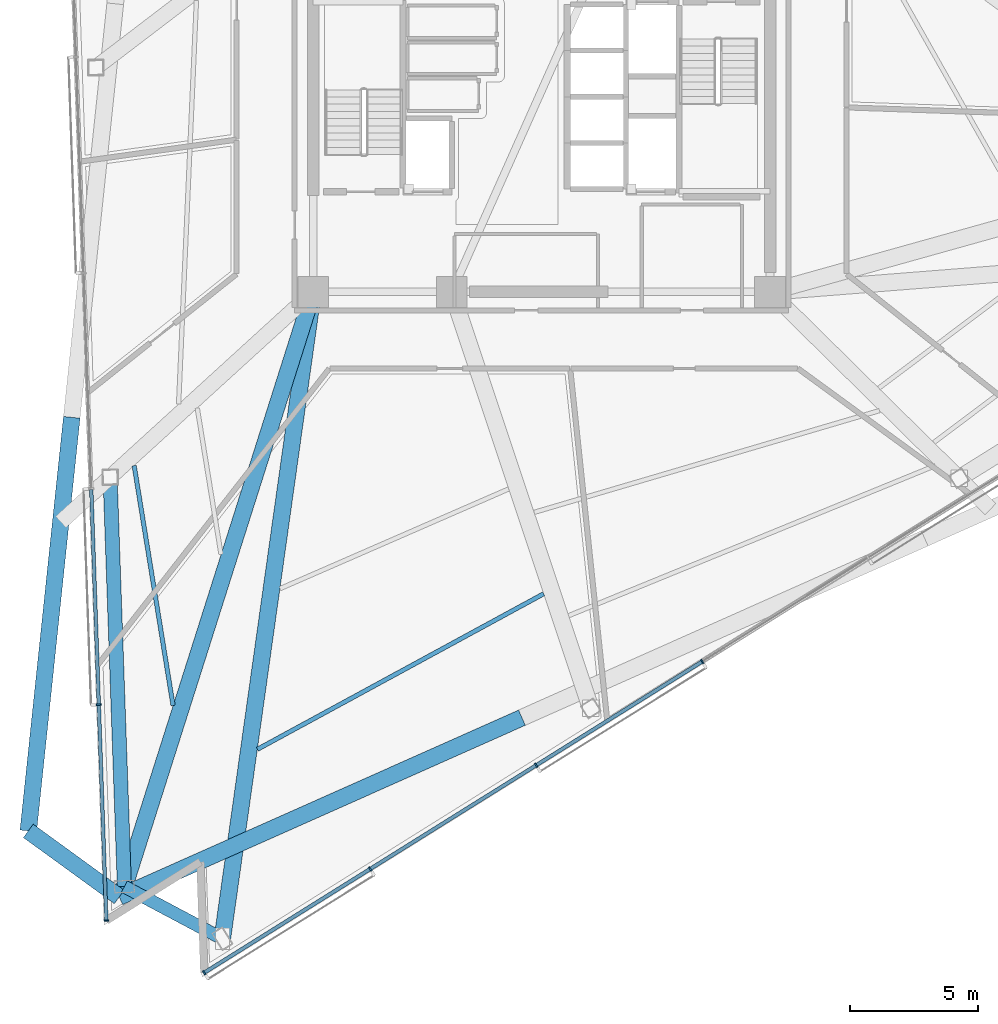
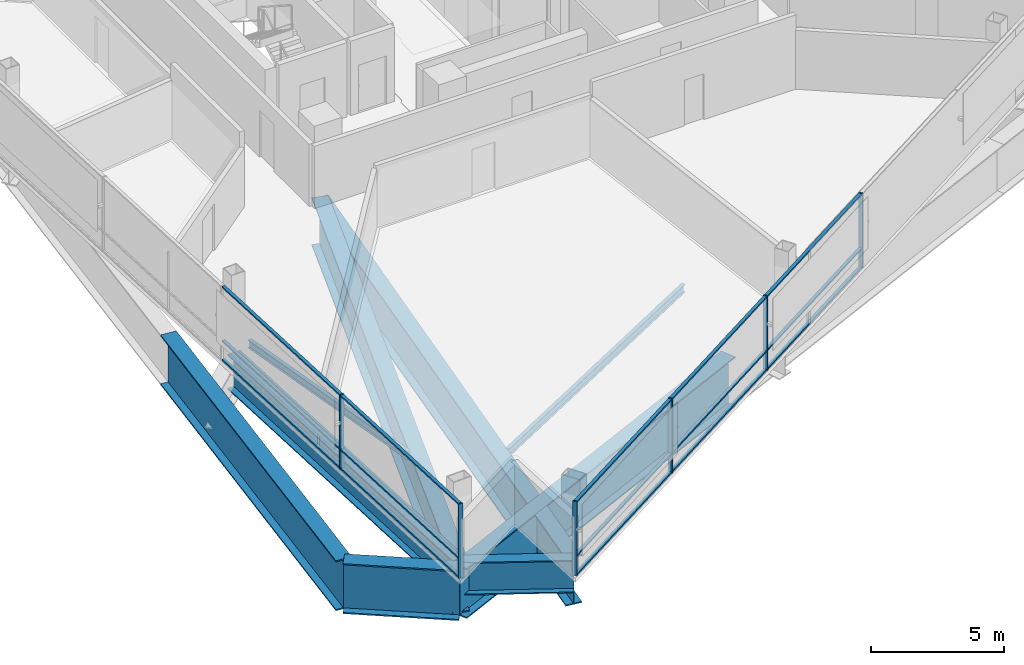
# One storey, part 2 of 20: 21 members, 9 beams, 2 elements without a shape of their own.
"""IFC4 building model written with IfcOpenShell, lengths in metres."""

from ifc_helpers import new_model, si_unit, direction, frame, origin, origin_2d, place, context, subcontext, project, spatial, rectangle, i_section, extrude, material, layer, layer_set, material_profile, profile_set, type_object, element, aggregate, save


model = new_model("IFC4")

# Units and contexts
model_context = context("Model", 3, precision=1e-05, world=origin(), true_north=direction((0.0, 1.0)))
body_context = subcontext(model_context, "Body", "Model", "MODEL_VIEW")
ifc_project = project(units=[si_unit("LENGTHUNIT", "METRE"), si_unit("AREAUNIT", "SQUARE_METRE"), si_unit("VOLUMEUNIT", "CUBIC_METRE"), si_unit("PLANEANGLEUNIT", "RADIAN"), si_unit("MASSUNIT", "GRAM", prefix="KILO")], contexts=[model_context])

# Site, building, storey
site_placement = place(None, origin())
site = spatial("IfcSite", under=ifc_project, at=site_placement, CompositionType="ELEMENT")
building_placement = place(site_placement, origin())
building = spatial("IfcBuilding", under=site, at=building_placement, Name="Tharavind Bronze Gate", CompositionType="ELEMENT")
storey_placement = place(building_placement, frame((0.0, 0.0, 138.800048828125)))
storey = spatial("IfcBuildingStorey", under=building, at=storey_placement, Name="L35", CompositionType="ELEMENT", Elevation=138.800048828125)

# Curtain wall, members
ifc_material_1 = material(Name="Anodised Bronze Aluminium", Category="aluminium")
ifc_layer = layer(ifc_material_1, 0.219970703125)
ifc_layer_set = layer_set([ifc_layer], Name="Anodised Bronze Aluminium")
curtain_wall_type = type_object("IfcCurtainWallType", Name="UNITISED CURTAIN WALL MID OFFICE", PredefinedType="USERDEFINED", material=ifc_layer_set)
curtain_wall_1_placement = place(storey_placement, origin())
curtain_wall_1 = element("IfcCurtainWall", 1, at=curtain_wall_1_placement, inside=storey, type_object=curtain_wall_type, Name="L35 unitised curtain wall mid office CW-L35-S1", ObjectType="UNITISED CURTAIN WALL", PredefinedType="USERDEFINED")
member_type_1 = type_object("IfcMemberType", Name="CURTAIN WALL BRONZE MULLION 65X180", PredefinedType="MULLION", material=ifc_material_1)
member_1_placement = place(storey_placement, frame((-17.25146484375, -23.6826171875, 0.0), z_axis=(0.0, 0.0, 1.0), x_axis=(0.034899496703, -0.999390827019, 0.0)))
member_1 = element("IfcMember", 2, at=member_1_placement, type_object=member_type_1, Name="CW-L35-S1 mullion 6", PredefinedType="MULLION", context=body_context, shape_type="SweptSolid", body=[
    extrude(rectangle(XDim=0.06494140625, YDim=0.179931640625, at=origin_2d()), origin(), (0.0, 0.0, 1.0), 3.409912109375),
])
member_2_placement = place(storey_placement, frame((-16.957763671875, -32.092041015625, 0.0), z_axis=(0.0, 0.0, 1.0), x_axis=(0.034899496703, -0.999390827019, 0.0)))
member_2 = element("IfcMember", 3, at=member_2_placement, type_object=member_type_1, Name="CW-L35-S1 mullion 7", PredefinedType="MULLION", context=body_context, shape_type="SweptSolid", body=[
    extrude(rectangle(XDim=0.06494140625, YDim=0.179931640625, at=origin_2d()), origin(), (0.0, 0.0, 1.0), 3.409912109375),
])

curtain_wall_2_placement = place(storey_placement, origin())
curtain_wall_2 = element("IfcCurtainWall", 4, at=curtain_wall_2_placement, inside=storey, type_object=curtain_wall_type, Name="L35 unitised curtain wall mid office CW-L35-S2", ObjectType="UNITISED CURTAIN WALL", PredefinedType="USERDEFINED")
member_3_placement = place(storey_placement, frame((-13.1435546875, -34.120361328125, 0.0), z_axis=(0.0, 0.0, 1.0), x_axis=(0.848048096156, 0.529919264233, 0.0)))
member_3 = element("IfcMember", 5, at=member_3_placement, type_object=member_type_1, Name="CW-L35-S2 mullion 1", PredefinedType="MULLION", context=body_context, shape_type="SweptSolid", body=[
    extrude(rectangle(XDim=0.06494140625, YDim=0.179931640625, at=origin_2d()), origin(), (0.0, 0.0, 1.0), 3.409912109375),
])
member_4_placement = place(storey_placement, frame((-6.677978515625, -30.080078125, 0.0), z_axis=(0.0, 0.0, 1.0), x_axis=(0.848048096156, 0.529919264233, 0.0)))
member_4 = element("IfcMember", 6, at=member_4_placement, type_object=member_type_1, Name="CW-L35-S2 mullion 2", PredefinedType="MULLION", context=body_context, shape_type="SweptSolid", body=[
    extrude(rectangle(XDim=0.06494140625, YDim=0.179931640625, at=origin_2d()), origin(), (0.0, 0.0, 1.0), 3.409912109375),
])
member_5_placement = place(storey_placement, frame((-0.212646484375, -26.040283203125, 0.0), z_axis=(0.0, 0.0, 1.0), x_axis=(0.848048096156, 0.529919264233, 0.0)))
member_5 = element("IfcMember", 7, at=member_5_placement, type_object=member_type_1, Name="CW-L35-S2 mullion 3", PredefinedType="MULLION", context=body_context, shape_type="SweptSolid", body=[
    extrude(rectangle(XDim=0.06494140625, YDim=0.179931640625, at=origin_2d()), origin(), (0.0, 0.0, 1.0), 3.409912109375),
])
member_6_placement = place(storey_placement, frame((6.252685546875, -22.0, 0.0), z_axis=(0.0, 0.0, 1.0), x_axis=(0.848048096156, 0.529919264233, 0.0)))
member_6 = element("IfcMember", 8, at=member_6_placement, type_object=member_type_1, Name="CW-L35-S2 mullion 4", PredefinedType="MULLION", context=body_context, shape_type="SweptSolid", body=[
    extrude(rectangle(XDim=0.06494140625, YDim=0.179931640625, at=origin_2d()), origin(), (0.0, 0.0, 1.0), 3.409912109375),
])

# Member
member_type_2 = type_object("IfcMemberType", Name="CURTAIN WALL BRONZE TRANSOM 65X140", PredefinedType="USERDEFINED", material=ifc_material_1)
member_7_placement = place(storey_placement, frame((-17.398193359375, -19.477783203125, 0.0), z_axis=(0.0, 0.0, 1.0), x_axis=(0.034899496703, -0.999390827019, 0.0)))
member_7 = element("IfcMember", 9, at=member_7_placement, type_object=member_type_2, Name="CW-L35-S1 transom TB5", ObjectType="TRANSOM", PredefinedType="USERDEFINED", context=body_context, shape_type="SweptSolid", body=[
    extrude(rectangle(XDim=8.361572265625, YDim=0.139892578125, at=origin_2d()), origin(), (0.0, 0.0, 1.0), 0.06494140625),
])

member_8_placement = place(storey_placement, frame((-17.398193359375, -19.477783203125, 0.867431640625), z_axis=(0.0, 0.0, 1.0), x_axis=(0.034899496703, -0.999390827019, 0.0)))
member_8 = element("IfcMember", 10, at=member_8_placement, type_object=member_type_2, Name="CW-L35-S1 transom TS5", ObjectType="TRANSOM", PredefinedType="USERDEFINED", context=body_context, shape_type="SweptSolid", body=[
    extrude(rectangle(XDim=8.361572265625, YDim=0.139892578125, at=origin_2d()), origin(), (0.0, 0.0, 1.0), 0.06494140625),
])

member_9_placement = place(storey_placement, frame((-17.398193359375, -19.477783203125, 3.344970703125), z_axis=(0.0, 0.0, 1.0), x_axis=(0.034899496703, -0.999390827019, 0.0)))
member_9 = element("IfcMember", 11, at=member_9_placement, type_object=member_type_2, Name="CW-L35-S1 transom TT5", ObjectType="TRANSOM", PredefinedType="USERDEFINED", context=body_context, shape_type="SweptSolid", body=[
    extrude(rectangle(XDim=8.361572265625, YDim=0.139892578125, at=origin_2d()), origin(), (0.0, 0.0, 1.0), 0.06494140625),
])

member_10_placement = place(storey_placement, frame((-17.1044921875, -27.887451171875, 0.0), z_axis=(0.0, 0.0, 1.0), x_axis=(0.034899496703, -0.999390827019, 0.0)))
member_10 = element("IfcMember", 12, at=member_10_placement, type_object=member_type_2, Name="CW-L35-S1 transom TB6", ObjectType="TRANSOM", PredefinedType="USERDEFINED", context=body_context, shape_type="SweptSolid", body=[
    extrude(rectangle(XDim=8.361572265625, YDim=0.139892578125, at=origin_2d()), origin(), (0.0, 0.0, 1.0), 0.06494140625),
])

member_11_placement = place(storey_placement, frame((-17.1044921875, -27.887451171875, 0.867431640625), z_axis=(0.0, 0.0, 1.0), x_axis=(0.034899496703, -0.999390827019, 0.0)))
member_11 = element("IfcMember", 13, at=member_11_placement, type_object=member_type_2, Name="CW-L35-S1 transom TS6", ObjectType="TRANSOM", PredefinedType="USERDEFINED", context=body_context, shape_type="SweptSolid", body=[
    extrude(rectangle(XDim=8.361572265625, YDim=0.139892578125, at=origin_2d()), origin(), (0.0, 0.0, 1.0), 0.06494140625),
])

member_12_placement = place(storey_placement, frame((-17.1044921875, -27.887451171875, 3.344970703125), z_axis=(0.0, 0.0, 1.0), x_axis=(0.034899496703, -0.999390827019, 0.0)))
member_12 = element("IfcMember", 14, at=member_12_placement, type_object=member_type_2, Name="CW-L35-S1 transom TT6", ObjectType="TRANSOM", PredefinedType="USERDEFINED", context=body_context, shape_type="SweptSolid", body=[
    extrude(rectangle(XDim=8.361572265625, YDim=0.139892578125, at=origin_2d()), origin(), (0.0, 0.0, 1.0), 0.06494140625),
])

aggregate(curtain_wall_1, [member_1, member_2, member_7, member_8, member_9, member_10, member_11, member_12])

member_13_placement = place(storey_placement, frame((-9.910888671875, -32.100341796875, 0.0), z_axis=(0.0, 0.0, 1.0), x_axis=(0.848048096156, 0.529919264233, 0.0)))
member_13 = element("IfcMember", 15, at=member_13_placement, type_object=member_type_2, Name="CW-L35-S2 transom TB1", ObjectType="TRANSOM", PredefinedType="USERDEFINED", context=body_context, shape_type="SweptSolid", body=[
    extrude(rectangle(XDim=7.57080078125, YDim=0.139892578125, at=origin_2d()), origin(), (0.0, 0.0, 1.0), 0.06494140625),
])

member_14_placement = place(storey_placement, frame((-9.910888671875, -32.100341796875, 0.867431640625), z_axis=(0.0, 0.0, 1.0), x_axis=(0.848048096156, 0.529919264233, 0.0)))
member_14 = element("IfcMember", 16, at=member_14_placement, type_object=member_type_2, Name="CW-L35-S2 transom TS1", ObjectType="TRANSOM", PredefinedType="USERDEFINED", context=body_context, shape_type="SweptSolid", body=[
    extrude(rectangle(XDim=7.57080078125, YDim=0.139892578125, at=origin_2d()), origin(), (0.0, 0.0, 1.0), 0.06494140625),
])

member_15_placement = place(storey_placement, frame((-9.910888671875, -32.100341796875, 3.344970703125), z_axis=(0.0, 0.0, 1.0), x_axis=(0.848048096156, 0.529919264233, 0.0)))
member_15 = element("IfcMember", 17, at=member_15_placement, type_object=member_type_2, Name="CW-L35-S2 transom TT1", ObjectType="TRANSOM", PredefinedType="USERDEFINED", context=body_context, shape_type="SweptSolid", body=[
    extrude(rectangle(XDim=7.57080078125, YDim=0.139892578125, at=origin_2d()), origin(), (0.0, 0.0, 1.0), 0.06494140625),
])

member_16_placement = place(storey_placement, frame((-3.4453125, -28.060302734375, 0.0), z_axis=(0.0, 0.0, 1.0), x_axis=(0.848048096156, 0.529919264233, 0.0)))
member_16 = element("IfcMember", 18, at=member_16_placement, type_object=member_type_2, Name="CW-L35-S2 transom TB2", ObjectType="TRANSOM", PredefinedType="USERDEFINED", context=body_context, shape_type="SweptSolid", body=[
    extrude(rectangle(XDim=7.57080078125, YDim=0.139892578125, at=origin_2d()), origin(), (0.0, 0.0, 1.0), 0.06494140625),
])

member_17_placement = place(storey_placement, frame((-3.4453125, -28.060302734375, 0.867431640625), z_axis=(0.0, 0.0, 1.0), x_axis=(0.848048096156, 0.529919264233, 0.0)))
member_17 = element("IfcMember", 19, at=member_17_placement, type_object=member_type_2, Name="CW-L35-S2 transom TS2", ObjectType="TRANSOM", PredefinedType="USERDEFINED", context=body_context, shape_type="SweptSolid", body=[
    extrude(rectangle(XDim=7.57080078125, YDim=0.139892578125, at=origin_2d()), origin(), (0.0, 0.0, 1.0), 0.06494140625),
])

member_18_placement = place(storey_placement, frame((-3.4453125, -28.060302734375, 3.344970703125), z_axis=(0.0, 0.0, 1.0), x_axis=(0.848048096156, 0.529919264233, 0.0)))
member_18 = element("IfcMember", 20, at=member_18_placement, type_object=member_type_2, Name="CW-L35-S2 transom TT2", ObjectType="TRANSOM", PredefinedType="USERDEFINED", context=body_context, shape_type="SweptSolid", body=[
    extrude(rectangle(XDim=7.57080078125, YDim=0.139892578125, at=origin_2d()), origin(), (0.0, 0.0, 1.0), 0.06494140625),
])

member_19_placement = place(storey_placement, frame((3.02001953125, -24.020263671875, 0.0), z_axis=(0.0, 0.0, 1.0), x_axis=(0.848048096156, 0.529919264233, 0.0)))
member_19 = element("IfcMember", 21, at=member_19_placement, type_object=member_type_2, Name="CW-L35-S2 transom TB3", ObjectType="TRANSOM", PredefinedType="USERDEFINED", context=body_context, shape_type="SweptSolid", body=[
    extrude(rectangle(XDim=7.57080078125, YDim=0.139892578125, at=origin_2d()), origin(), (0.0, 0.0, 1.0), 0.06494140625),
])

member_20_placement = place(storey_placement, frame((3.02001953125, -24.020263671875, 0.867431640625), z_axis=(0.0, 0.0, 1.0), x_axis=(0.848048096156, 0.529919264233, 0.0)))
member_20 = element("IfcMember", 22, at=member_20_placement, type_object=member_type_2, Name="CW-L35-S2 transom TS3", ObjectType="TRANSOM", PredefinedType="USERDEFINED", context=body_context, shape_type="SweptSolid", body=[
    extrude(rectangle(XDim=7.57080078125, YDim=0.139892578125, at=origin_2d()), origin(), (0.0, 0.0, 1.0), 0.06494140625),
])

member_21_placement = place(storey_placement, frame((3.02001953125, -24.020263671875, 3.344970703125), z_axis=(0.0, 0.0, 1.0), x_axis=(0.848048096156, 0.529919264233, 0.0)))
member_21 = element("IfcMember", 23, at=member_21_placement, type_object=member_type_2, Name="CW-L35-S2 transom TT3", ObjectType="TRANSOM", PredefinedType="USERDEFINED", context=body_context, shape_type="SweptSolid", body=[
    extrude(rectangle(XDim=7.57080078125, YDim=0.139892578125, at=origin_2d()), origin(), (0.0, 0.0, 1.0), 0.06494140625),
])

aggregate(curtain_wall_2, [member_3, member_4, member_5, member_6, member_13, member_14, member_15, member_16, member_17, member_18, member_19, member_20, member_21])

# Beams
ifc_material_2 = material(Name="Steel S355", Category="steel")
ifc_material_profile_1 = material_profile(ifc_material_2, i_section(OverallWidth=0.169921875, OverallDepth=0.360107421875, WebThickness=0.008056640625, FlangeThickness=0.0126953125, at=origin_2d()), Name="IPE360")
ifc_profile_set_1 = profile_set([ifc_material_profile_1], Name="Steel S355")
beam_type_1 = type_object("IfcBeamType", Name="SECONDARY FLOOR JOIST IPE360", PredefinedType="JOIST", material=ifc_profile_set_1)
beam_1_placement = place(storey_placement, frame((-15.872314453125, -14.369140625, -0.3701171875), z_axis=(0.160068441618, -0.987105918328, 0.0), x_axis=(0.987105918328, 0.160068441618, 0.0)))
element("IfcBeam", 24, at=beam_1_placement, inside=storey, type_object=beam_type_1, Name="L35 secondary floor joist ipe360 BM-L35-JSTB03", PredefinedType="JOIST", context=body_context, shape_type="SweptSolid", body=[
    extrude(i_section(OverallWidth=0.169921875, OverallDepth=0.360107421875, WebThickness=0.008056640625, FlangeThickness=0.0126953125, at=origin_2d()), origin(), (0.0, 0.0, 1.0), 9.465576171875),
])
beam_2_placement = place(storey_placement, frame((-11.07177734375, -25.420166015625, -0.3701171875), z_axis=(0.878659257799, 0.477449378137, 0.0), x_axis=(-0.477449378137, 0.878659257799, 0.0)))
element("IfcBeam", 25, at=beam_2_placement, inside=storey, type_object=beam_type_1, Name="L35 secondary floor joist ipe360 BM-L35-JSTB05", PredefinedType="JOIST", context=body_context, shape_type="SweptSolid", body=[
    extrude(i_section(OverallWidth=0.169921875, OverallDepth=0.360107421875, WebThickness=0.008056640625, FlangeThickness=0.0126953125, at=origin_2d()), origin(), (0.0, 0.0, 1.0), 12.6875),
])
ifc_material_3 = material(Name="Steel S460", Category="steel")
ifc_material_profile_2 = material_profile(ifc_material_3, i_section(OverallWidth=0.5, OverallDepth=1.5, WebThickness=0.028076171875, FlangeThickness=0.050048828125, at=origin_2d()), Name="PG1500X500")
ifc_profile_set_2 = profile_set([ifc_material_profile_2], Name="Steel S460")
beam_type_2 = type_object("IfcBeamType", Name="TRANSFER GIRDER 1500X500", PredefinedType="USERDEFINED", material=ifc_profile_set_2)
beam_3_placement = place(storey_placement, frame((-16.253662109375, -30.767578125, -0.93994140625), z_axis=(0.882934197132, -0.469496755618, 0.0), x_axis=(0.469496755618, 0.882934197132, 0.0)))
element("IfcBeam", 26, at=beam_3_placement, inside=storey, type_object=beam_type_2, Name="L35 transfer girder 1500x500 BM-L35-URG04", ObjectType="TRANSFER GIRDER", PredefinedType="USERDEFINED", context=body_context, shape_type="SweptSolid", body=[
    extrude(i_section(OverallWidth=0.5, OverallDepth=1.5, WebThickness=0.028076171875, FlangeThickness=0.050048828125, at=origin_2d()), origin(), (0.0, 0.0, 1.0), 4.3203125),
])
ifc_material_profile_3 = material_profile(ifc_material_3, i_section(OverallWidth=0.550048828125, OverallDepth=1.60009765625, WebThickness=0.030029296875, FlangeThickness=0.050048828125, at=origin_2d()), Name="PG1600X550")
ifc_profile_set_3 = profile_set([ifc_material_profile_3], Name="Steel S460")
beam_type_3 = type_object("IfcBeamType", Name="TRANSFER GIRDER 1600X550", PredefinedType="USERDEFINED", material=ifc_profile_set_3)
beam_4_placement = place(storey_placement, frame((-16.810791015625, -14.814208984375, -0.989990234375), z_axis=(0.034901059648, -0.999390772439, 0.0), x_axis=(0.999390772439, 0.034901059648, 0.0)))
element("IfcBeam", 27, at=beam_4_placement, inside=storey, type_object=beam_type_3, Name="L35 transfer girder 1600x550 BM-L35-URG03", ObjectType="TRANSFER GIRDER", PredefinedType="USERDEFINED", context=body_context, shape_type="SweptSolid", body=[
    extrude(i_section(OverallWidth=0.550048828125, OverallDepth=1.60009765625, WebThickness=0.030029296875, FlangeThickness=0.050048828125, at=origin_2d()), origin(), (0.0, 0.0, 1.0), 15.963134765625),
])
ifc_material_profile_4 = material_profile(ifc_material_3, i_section(OverallWidth=0.64990234375, OverallDepth=2.199951171875, WebThickness=0.035888671875, FlangeThickness=0.054931640625, at=origin_2d()), Name="PG2200X650")
ifc_profile_set_4 = profile_set([ifc_material_profile_4], Name="Steel S460")
beam_type_4 = type_object("IfcBeamType", Name="TRANSFER GIRDER 2200X650", PredefinedType="USERDEFINED", material=ifc_profile_set_4)
beam_5_placement = place(storey_placement, frame((-8.89990234375, -7.60009765625, -1.2900390625), z_axis=(-0.302532653223, -0.9531390212, 0.0), x_axis=(0.9531390212, -0.302532653223, 0.0)))
element("IfcBeam", 28, at=beam_5_placement, inside=storey, type_object=beam_type_4, Name="L35 transfer girder 2200x650 BM-L35-XFR04", ObjectType="TRANSFER GIRDER", PredefinedType="USERDEFINED", context=body_context, shape_type="SweptSolid", body=[
    extrude(i_section(OverallWidth=0.64990234375, OverallDepth=2.199951171875, WebThickness=0.035888671875, FlangeThickness=0.054931640625, at=origin_2d()), origin(), (0.0, 0.0, 1.0), 24.692138671875),
])
beam_6_placement = place(storey_placement, frame((-8.89990234375, -7.60009765625, -1.2900390625), z_axis=(-0.139106336947, -0.990277449517, 0.0), x_axis=(0.990277449517, -0.139106336947, 0.0)))
element("IfcBeam", 29, at=beam_6_placement, inside=storey, type_object=beam_type_4, Name="L35 transfer girder 2200x650 BM-L35-XFR05", ObjectType="TRANSFER GIRDER", PredefinedType="USERDEFINED", context=body_context, shape_type="SweptSolid", body=[
    extrude(i_section(OverallWidth=0.64990234375, OverallDepth=2.199951171875, WebThickness=0.035888671875, FlangeThickness=0.054931640625, at=origin_2d()), origin(), (0.0, 0.0, 1.0), 25.443115234375),
])
ifc_material_profile_5 = material_profile(ifc_material_3, i_section(OverallWidth=0.64990234375, OverallDepth=2.300048828125, WebThickness=0.035888671875, FlangeThickness=0.05810546875, at=origin_2d()), Name="PG2300X650")
ifc_profile_set_5 = profile_set([ifc_material_profile_5], Name="Steel S460")
beam_type_5 = type_object("IfcBeamType", Name="TRANSFER GIRDER 2300X650", PredefinedType="USERDEFINED", material=ifc_profile_set_5)
beam_7_placement = place(storey_placement, frame((-18.303955078125, -12.488037109375, -1.340087890625), z_axis=(-0.104522380175, -0.994522534708, 0.0), x_axis=(0.994522534708, -0.104522380175, 0.0)))
element("IfcBeam", 30, at=beam_7_placement, inside=storey, type_object=beam_type_5, Name="L35 transfer girder 2300x650 BM-L35-LRG03", ObjectType="TRANSFER GIRDER", PredefinedType="USERDEFINED", context=body_context, shape_type="SweptSolid", body=[
    extrude(i_section(OverallWidth=0.64990234375, OverallDepth=2.300048828125, WebThickness=0.035888671875, FlangeThickness=0.05810546875, at=origin_2d()), origin(), (0.0, 0.0, 1.0), 16.198486328125),
])
beam_8_placement = place(storey_placement, frame((-19.9970703125, -28.597900390625, -1.340087890625), z_axis=(0.809018008275, -0.587783856777, 0.0), x_axis=(0.587783856777, 0.809018008275, 0.0)))
element("IfcBeam", 31, at=beam_8_placement, inside=storey, type_object=beam_type_5, Name="L35 transfer girder 2300x650 BM-L35-LRG04", ObjectType="TRANSFER GIRDER", PredefinedType="USERDEFINED", context=body_context, shape_type="SweptSolid", body=[
    extrude(i_section(OverallWidth=0.64990234375, OverallDepth=2.300048828125, WebThickness=0.035888671875, FlangeThickness=0.05810546875, at=origin_2d()), origin(), (0.0, 0.0, 1.0), 4.3798828125),
])
beam_9_placement = place(storey_placement, frame((-16.45361328125, -31.17236328125, -1.340087890625), z_axis=(0.913546351362, 0.406734635744, 0.0), x_axis=(-0.406734635744, 0.913546351362, 0.0)))
element("IfcBeam", 32, at=beam_9_placement, inside=storey, type_object=beam_type_5, Name="L35 transfer girder 2300x650 BM-L35-LRG05", ObjectType="TRANSFER GIRDER", PredefinedType="USERDEFINED", context=body_context, shape_type="SweptSolid", body=[
    extrude(i_section(OverallWidth=0.64990234375, OverallDepth=2.300048828125, WebThickness=0.035888671875, FlangeThickness=0.05810546875, at=origin_2d()), origin(), (0.0, 0.0, 1.0), 17.171875),
])

save(model, "model.ifc")
